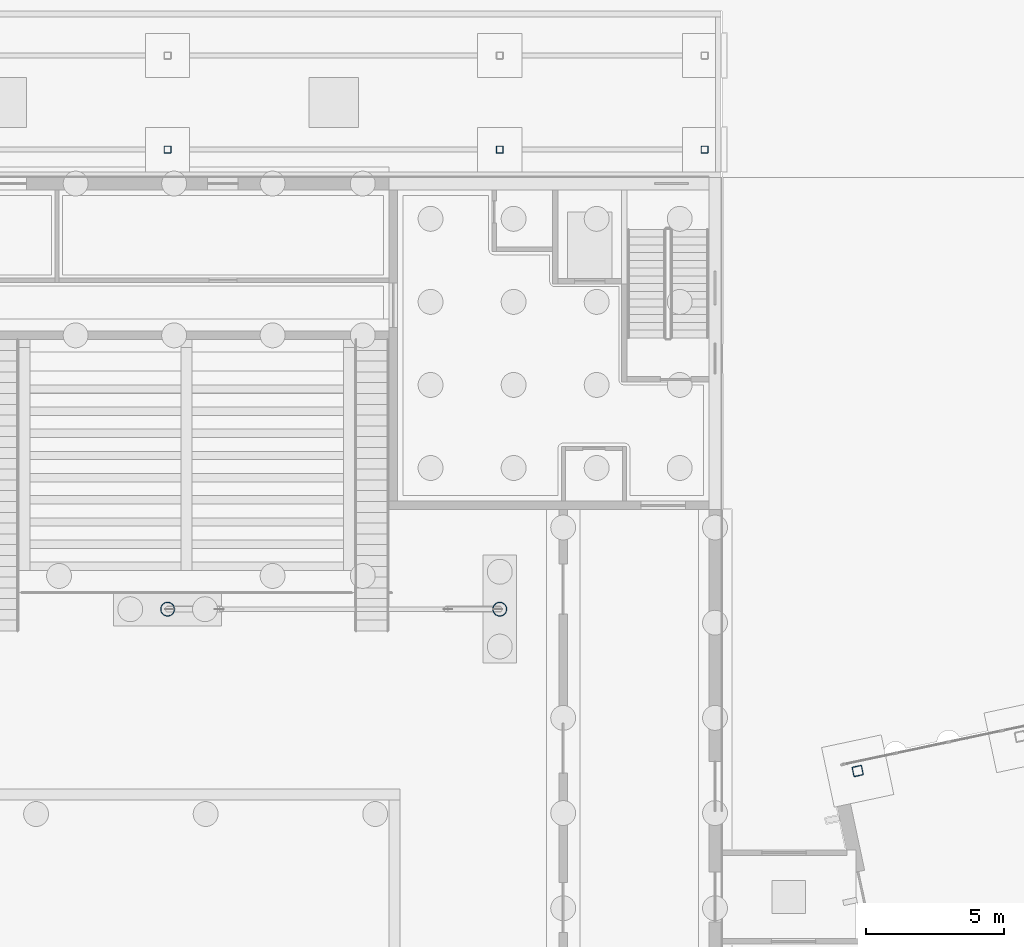
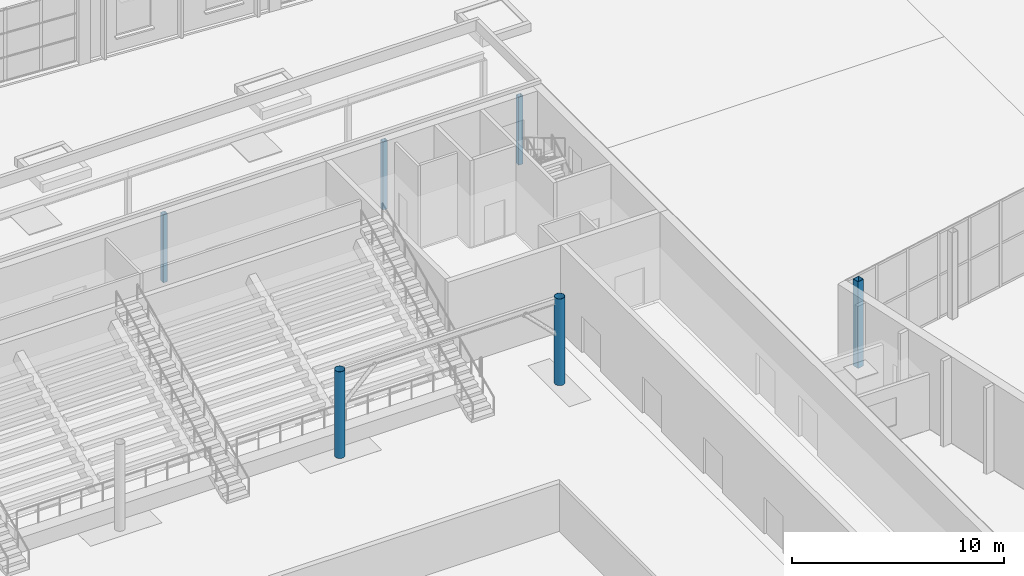
# One storey, part 23 of 157: 6 columns.
"""IFC4 building model written with IfcOpenShell, lengths in metres."""

from ifc_helpers import new_model, si_unit, direction, frame, origin, origin_2d, place, context, subcontext, project, spatial, hollow_rectangle, hollow_circle, extrude, material, material_profile, profile_set, type_object, element, save


model = new_model("IFC4")

# Units and contexts
model_context = context("Model", 3, precision=1e-05, world=origin(), true_north=direction((0.0, 1.0)))
body_context = subcontext(model_context, "Body", "Model", "MODEL_VIEW")
ifc_project = project(units=[si_unit("LENGTHUNIT", "METRE"), si_unit("AREAUNIT", "SQUARE_METRE"), si_unit("VOLUMEUNIT", "CUBIC_METRE"), si_unit("PLANEANGLEUNIT", "RADIAN"), si_unit("MASSUNIT", "GRAM", prefix="KILO")], contexts=[model_context])

# Site, building, storey
site_placement = place(None, origin())
site = spatial("IfcSite", under=ifc_project, at=site_placement, CompositionType="ELEMENT")
building_placement = place(site_placement, origin())
building = spatial("IfcBuilding", under=site, at=building_placement, Name="Windward Yard Aquatics Centre", CompositionType="ELEMENT")
storey_placement = place(building_placement, origin())
storey = spatial("IfcBuildingStorey", under=building, at=storey_placement, Name="L00", CompositionType="ELEMENT", Elevation=0.0)

# Columns
ifc_material = material(Name="Steel ASTM A500 Gr C", Category="steel")
ifc_material_profile_1 = material_profile(ifc_material, hollow_rectangle(XDim=0.25390625, YDim=0.25390625, WallThickness=0.0126953125, InnerFilletRadius=0.00634765625, OuterFilletRadius=0.01904296875, at=origin_2d()), Name="HSS254X254X12.7")
ifc_profile_set_1 = profile_set([ifc_material_profile_1], Name="Steel ASTM A500 Gr C")
column_type_1 = type_object("IfcColumnType", Name="A column HSS254X254X12.7", PredefinedType="COLUMN", material=ifc_profile_set_1)
for number, where, z_axis, x_axis, name in (
    (1, (132.0, 97.0, 0.0), (0.0, 0.0, 1.0), (1.0, 0.0, 0.0), "A.COL.L00.8.1"),
    (2, (144.0, 97.0, 0.0), (0.0, 0.0, 1.0), (1.0, 0.0, 0.0), "A.COL.L00.9.1"),
    (3, (151.39990234375, 97.0, 0.0), (0.0, 0.0, 1.0), (1.0, 0.0, 0.0), "A.COL.L00.10.1"),
):
    element("IfcColumn", number, at=place(storey_placement, frame(where, z_axis=z_axis, x_axis=x_axis)), inside=storey, type_object=column_type_1, Name=name, PredefinedType="COLUMN", context=body_context, shape_type="SweptSolid", body=[
        extrude(hollow_rectangle(XDim=0.25390625, YDim=0.25390625, WallThickness=0.0126953125, InnerFilletRadius=0.00634765625, OuterFilletRadius=0.01904296875, at=origin_2d()), origin(), (0.0, 0.0, 1.0), 3.93310546875),
    ])
ifc_material_profile_2 = material_profile(ifc_material, hollow_rectangle(XDim=0.355712890625, YDim=0.355712890625, WallThickness=0.015869140625, InnerFilletRadius=0.008056640625, OuterFilletRadius=0.02392578125, at=origin_2d()), Name="HSS356X356X15.9")
ifc_profile_set_2 = profile_set([ifc_material_profile_2], Name="Steel ASTM A500 Gr C")
column_type_2 = type_object("IfcColumnType", Name="D column HSS356X356X15.9", PredefinedType="COLUMN", material=ifc_profile_set_2)
column_placement = place(storey_placement, frame((156.929443359375, 74.553466796875, 0.0), z_axis=(0.0, 0.0, 1.0), x_axis=(0.978147600734, 0.207911690818, 0.0)))
element("IfcColumn", 4, at=column_placement, inside=storey, type_object=column_type_2, Name="D.COL.1.2.2", PredefinedType="COLUMN", context=body_context, shape_type="SweptSolid", body=[
    extrude(hollow_rectangle(XDim=0.355712890625, YDim=0.355712890625, WallThickness=0.015869140625, InnerFilletRadius=0.008056640625, OuterFilletRadius=0.02392578125, at=origin_2d()), origin(), (0.0, 0.0, 1.0), 5.0),
])
ifc_material_profile_3 = material_profile(ifc_material, hollow_circle(Radius=0.25390625, WallThickness=0.015869140625, at=origin_2d()), Name="HSS508X15.9")
ifc_profile_set_3 = profile_set([ifc_material_profile_3], Name="Steel ASTM A500 Gr C")
column_type_3 = type_object("IfcColumnType", Name="H arch column HSS508X15.9", PredefinedType="COLUMN", material=ifc_profile_set_3)
for number, where, z_axis, x_axis, name in (
    (5, (132.0, 80.39990234375, 0.0), (0.0, 0.0, 1.0), (1.0, 0.0, 0.0), "H.AC.N7.L00"),
    (6, (144.0, 80.39990234375, 0.0), (0.0, 0.0, 1.0), (1.0, 0.0, 0.0), "H.AC.N8.L00"),
):
    element("IfcColumn", number, at=place(storey_placement, frame(where, z_axis=z_axis, x_axis=x_axis)), inside=storey, type_object=column_type_3, Name=name, PredefinedType="COLUMN", context=body_context, shape_type="SweptSolid", body=[
        extrude(hollow_circle(Radius=0.25390625, WallThickness=0.015869140625, at=origin_2d()), origin(), (0.0, 0.0, 1.0), 5.0),
    ])

save(model, "model.ifc")
